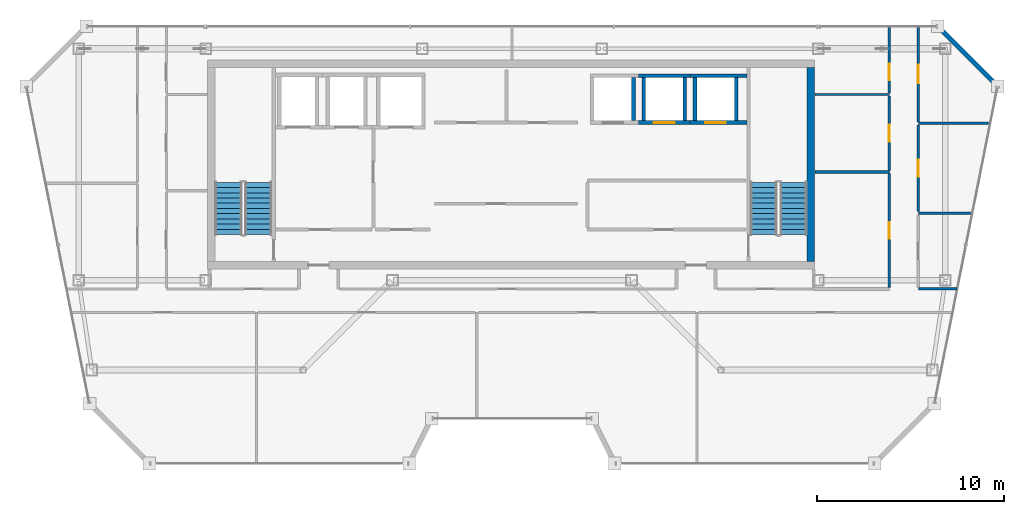
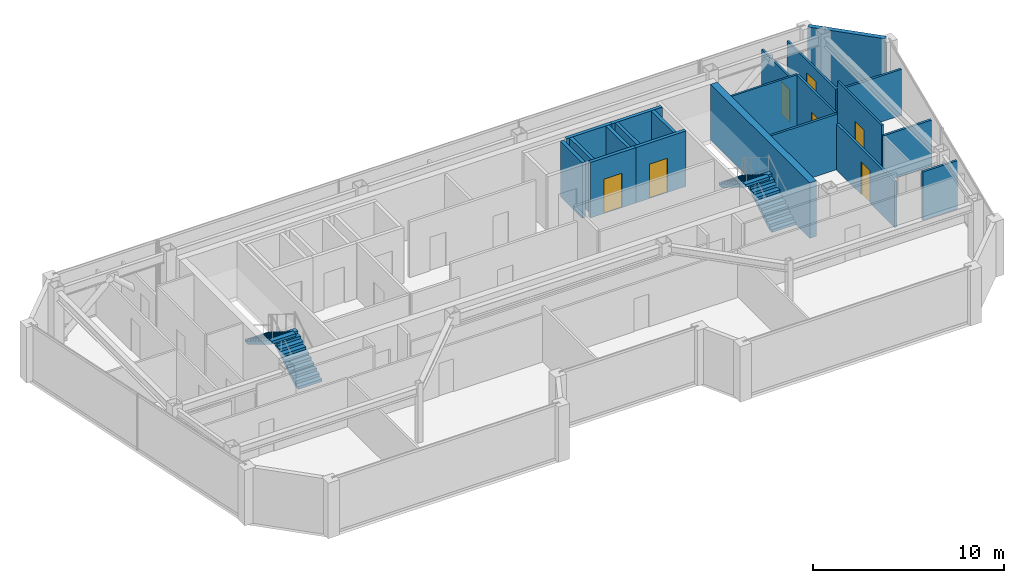
# One storey, part 20 of 23: 21 walls, 7 doors, 4 stair flights, 7 openings, 2 elements without a shape of their own.
"""IFC4 building model written with IfcOpenShell, lengths in metres."""

from ifc_helpers import new_model, si_unit, direction, frame, frame_2d, origin, place, context, subcontext, project, spatial, polyline, rectangle, outline, extrude, material, layer, layer_set, type_object, element, fill, aggregate, save


model = new_model("IFC4")

# Units and contexts
model_context = context("Model", 3, precision=1e-05, world=origin(), true_north=direction((0.0, 1.0)))
body_context = subcontext(model_context, "Body", "Model", "MODEL_VIEW")
ifc_project = project(units=[si_unit("LENGTHUNIT", "METRE"), si_unit("AREAUNIT", "SQUARE_METRE"), si_unit("VOLUMEUNIT", "CUBIC_METRE"), si_unit("PLANEANGLEUNIT", "RADIAN"), si_unit("MASSUNIT", "GRAM", prefix="KILO")], contexts=[model_context])

# Site, building, storey
site_placement = place(None, origin())
site = spatial("IfcSite", under=ifc_project, at=site_placement, CompositionType="ELEMENT")
building_placement = place(site_placement, origin())
building = spatial("IfcBuilding", under=site, at=building_placement, Name="Saevonmaru Cultural Tower", CompositionType="ELEMENT")
storey_placement = place(building_placement, frame((0.0, 0.0, 302.800048828125)))
storey = spatial("IfcBuildingStorey", under=building, at=storey_placement, Name="L72", CompositionType="ELEMENT", Elevation=302.800048828125)

# Walls
ifc_material_1 = material(Name="Concrete C50/60", Category="concrete")
ifc_layer_1 = layer(ifc_material_1, 0.39990234375, Name="Concrete C50/60")
ifc_layer_set_1 = layer_set([ifc_layer_1], Name="Concrete C50/60")
wall_type_1 = type_object("IfcWallType", Name="WL-CORE-400", PredefinedType="SHEAR", material=ifc_layer_set_1)
wall_1_placement = place(storey_placement, frame((46.0, 43.39990234375, 0.0), z_axis=(0.0, 0.0, 1.0), x_axis=(0.0, 1.0, 0.0)))
element("IfcWall", 1, at=wall_1_placement, inside=storey, type_object=wall_type_1, Name="L72 Tower RC core shear wall E", PredefinedType="SHEAR", context=body_context, shape_type="SweptSolid", body=[
    extrude(rectangle(XDim=10.400146484375, YDim=0.39990234375, at=frame_2d((5.2001953125, 0.0))), origin(), (0.0, 0.0, 1.0), 3.550048828125),
])
ifc_material_2 = material(Name="Granite-Clad Precast Concrete C40/50", Category="masonry")
ifc_layer_2 = layer(ifc_material_2, 0.260009765625, Name="Granite-Clad Precast Concrete C40/50")
ifc_layer_set_2 = layer_set([ifc_layer_2], Name="Granite-Clad Precast Concrete C40/50")
wall_type_2 = type_object("IfcWallType", Name="WL-EXT-SPANDREL-260", PredefinedType="STANDARD", material=ifc_layer_set_2)
wall_2_placement = place(storey_placement, frame((55.886962890625, 52.9130859375, 0.0), z_axis=(0.0, 0.0, 1.0), x_axis=(-0.707106781187, 0.707106781187, 0.0)))
element("IfcWall", 2, at=wall_2_placement, inside=storey, type_object=wall_type_2, Name="L72 Chamfer Corner Spandrel Wall E9", PredefinedType="STANDARD", context=body_context, shape_type="SweptSolid", body=[
    extrude(rectangle(XDim=4.205810546875, YDim=0.260009765625, at=frame_2d((2.10302734375, 0.0))), origin(), (0.0, 0.0, 1.0), 3.550048828125),
])
ifc_material_3 = material(Name="Gypsum Fireboard Partition", Category="gypsum")
ifc_layer_3 = layer(ifc_material_3, 0.1201171875, Name="Gypsum Fireboard Partition")
ifc_layer_set_3 = layer_set([ifc_layer_3], Name="Gypsum Fireboard Partition")
wall_type_3 = type_object("IfcWallType", Name="WL-PART-GYP-120", PredefinedType="PARTITIONING", material=ifc_layer_set_3)
wall_3_placement = place(storey_placement, frame((46.219970703125, 52.35009765625, 0.0), z_axis=(0.0, 0.0, 1.0), x_axis=(1.0, 0.0, 0.0)))
element("IfcWall", 3, at=wall_3_placement, inside=storey, type_object=wall_type_3, Name="L72 North-East Panorama South Wall", PredefinedType="PARTITIONING", context=body_context, shape_type="SweptSolid", body=[
    extrude(rectangle(XDim=3.97998046875, YDim=0.1201171875, at=frame_2d((1.989990234375, 0.0))), origin(), (0.0, 0.0, 1.0), 3.550048828125),
])

# Wall, opening, door
wall_4_placement = place(storey_placement, frame((50.199951171875, 48.2900390625, 0.0), z_axis=(0.0, 0.0, 1.0), x_axis=(0.0, 1.0, 0.0)))
wall_4 = element("IfcWall", 4, at=wall_4_placement, inside=storey, type_object=wall_type_3, Name="L72 Translation Research Office Corridor Wall", PredefinedType="PARTITIONING", context=body_context, shape_type="SweptSolid", body=[
    extrude(rectangle(XDim=3.97998046875, YDim=0.1201171875, at=frame_2d((1.989990234375, 0.0))), origin(), (0.0, 0.0, 1.0), 3.550048828125),
])
opening_1_placement = place(wall_4_placement, frame((1.5400390625, 0.0, 0.0)))
opening_1 = element("IfcOpeningElement", 5, at=opening_1_placement, cuts=wall_4, Name="Opening ID-2", PredefinedType="OPENING", context=body_context, shape_type="SweptSolid", body=[
    extrude(rectangle(XDim=0.89990234375, YDim=2.10009765625, at=frame_2d((0.449951171875, 1.050048828125))), frame((0.0, 0.070068359375, 0.0), z_axis=(0.0, -1.0, 0.0), x_axis=(1.0, 0.0, 0.0)), (0.0, 0.0, 1.0), 0.14013671875),
])
ifc_material_4 = material(Name="Acoustic Stained Oak Timber", Category="wood")
door_type_1 = type_object("IfcDoorType", Name="DR-INT-900", OperationType="SINGLE_SWING_RIGHT", PredefinedType="DOOR", material=ifc_material_4)
door_1_placement = place(opening_1_placement, origin())
door_1 = element("IfcDoor", 6, at=door_1_placement, inside=storey, type_object=door_type_1, Name="L72 Translation Research Office Door", OperationType="SINGLE_SWING_LEFT", OverallHeight=2.10009765625, OverallWidth=0.89990234375, PredefinedType="DOOR", context=body_context, shape_type="SweptSolid", body=[
    extrude(rectangle(XDim=0.89990234375, YDim=2.10009765625, at=frame_2d((0.449951171875, 1.050048828125))), frame((0.0, 0.02490234375, 0.0), z_axis=(0.0, -1.0, 0.0), x_axis=(1.0, 0.0, 0.0)), (0.0, 0.0, 1.0), 0.050048828125),
])
fill(opening_1, door_1)

wall_5_placement = place(storey_placement, frame((50.199951171875, 52.429931640625, 0.0), z_axis=(0.0, 0.0, 1.0), x_axis=(0.0, 1.0, 0.0)))
wall_5 = element("IfcWall", 7, at=wall_5_placement, inside=storey, type_object=wall_type_3, Name="L72 Architecture Residency Office Corridor Wall", PredefinedType="PARTITIONING", context=body_context, shape_type="SweptSolid", body=[
    extrude(rectangle(XDim=3.565185546875, YDim=0.1201171875, at=frame_2d((1.78271484375, 0.0))), origin(), (0.0, 0.0, 1.0), 2.93505859375),
])
opening_2_placement = place(wall_5_placement, frame((0.672119140625, 0.0, 0.0)))
opening_2 = element("IfcOpeningElement", 8, at=opening_2_placement, cuts=wall_5, Name="Opening ID-2", PredefinedType="OPENING", context=body_context, shape_type="SweptSolid", body=[
    extrude(rectangle(XDim=0.89990234375, YDim=2.10009765625, at=frame_2d((0.449951171875, 1.050048828125))), frame((0.0, 0.070068359375, 0.0), z_axis=(0.0, -1.0, 0.0), x_axis=(1.0, 0.0, 0.0)), (0.0, 0.0, 1.0), 0.14013671875),
])
door_2_placement = place(opening_2_placement, origin())
door_2 = element("IfcDoor", 9, at=door_2_placement, inside=storey, type_object=door_type_1, Name="L72 Architecture Residency Office Door", OperationType="SINGLE_SWING_RIGHT", OverallHeight=2.10009765625, OverallWidth=0.89990234375, PredefinedType="DOOR", context=body_context, shape_type="SweptSolid", body=[
    extrude(rectangle(XDim=0.89990234375, YDim=2.10009765625, at=frame_2d((0.449951171875, 1.050048828125))), frame((0.0, 0.02490234375, 0.0), z_axis=(0.0, -1.0, 0.0), x_axis=(1.0, 0.0, 0.0)), (0.0, 0.0, 1.0), 0.050048828125),
])
fill(opening_2, door_2)

wall_6_placement = place(storey_placement, frame((51.75, 46.08740234375, 0.0), z_axis=(0.0, 0.0, 1.0), x_axis=(0.0, 1.0, 0.0)))
wall_6 = element("IfcWall", 10, at=wall_6_placement, inside=storey, type_object=wall_type_3, Name="L72 Printmaking Workshop Classroom Corridor Wall", PredefinedType="PARTITIONING", context=body_context, shape_type="SweptSolid", body=[
    extrude(rectangle(XDim=4.625, YDim=0.1201171875, at=frame_2d((2.3125, 0.0))), origin(), (0.0, 0.0, 1.0), 3.550048828125),
])
opening_3_placement = place(wall_6_placement, frame((1.863037109375, 0.0, 0.0)))
opening_3 = element("IfcOpeningElement", 11, at=opening_3_placement, cuts=wall_6, Name="Opening ID-2", PredefinedType="OPENING", context=body_context, shape_type="SweptSolid", body=[
    extrude(rectangle(XDim=0.89990234375, YDim=2.10009765625, at=frame_2d((0.449951171875, 1.050048828125))), frame((0.0, 0.070068359375, 0.0), z_axis=(0.0, -1.0, 0.0), x_axis=(1.0, 0.0, 0.0)), (0.0, 0.0, 1.0), 0.14013671875),
])
door_3_placement = place(opening_3_placement, origin())
door_3 = element("IfcDoor", 12, at=door_3_placement, inside=storey, type_object=door_type_1, Name="L72 Printmaking Workshop Classroom Door", OperationType="SINGLE_SWING_LEFT", OverallHeight=2.10009765625, OverallWidth=0.89990234375, PredefinedType="DOOR", context=body_context, shape_type="SweptSolid", body=[
    extrude(rectangle(XDim=0.89990234375, YDim=2.10009765625, at=frame_2d((0.449951171875, 1.050048828125))), frame((0.0, 0.02490234375, 0.0), z_axis=(0.0, -1.0, 0.0), x_axis=(1.0, 0.0, 0.0)), (0.0, 0.0, 1.0), 0.050048828125),
])
fill(opening_3, door_3)

wall_7_placement = place(storey_placement, frame((51.75, 50.887451171875, 0.0), z_axis=(0.0, 0.0, 1.0), x_axis=(0.0, 1.0, 0.0)))
wall_7 = element("IfcWall", 13, at=wall_7_placement, inside=storey, type_object=wall_type_3, Name="L72 Botanical Tea Bistro Corridor Wall", PredefinedType="PARTITIONING", context=body_context, shape_type="SweptSolid", body=[
    extrude(rectangle(XDim=5.107666015625, YDim=0.1201171875, at=frame_2d((2.5537109375, 0.0))), origin(), (0.0, 0.0, 1.0), 2.93505859375),
])
opening_4_placement = place(wall_7_placement, frame((2.053955078125, 0.0, 0.0)))
opening_4 = element("IfcOpeningElement", 14, at=opening_4_placement, cuts=wall_7, Name="Opening ID-1B", PredefinedType="OPENING", context=body_context, shape_type="SweptSolid", body=[
    extrude(rectangle(XDim=1.0, YDim=2.14990234375, at=frame_2d((0.5, 1.074951171875))), frame((0.0, 0.070068359375, 0.0), z_axis=(0.0, -1.0, 0.0), x_axis=(1.0, 0.0, 0.0)), (0.0, 0.0, 1.0), 0.14013671875),
])
door_type_2 = type_object("IfcDoorType", Name="DR-INT-1000", OperationType="SINGLE_SWING_RIGHT", PredefinedType="DOOR", material=ifc_material_4)
door_4_placement = place(opening_4_placement, origin())
door_4 = element("IfcDoor", 15, at=door_4_placement, inside=storey, type_object=door_type_2, Name="L72 Botanical Tea Bistro Door", OperationType="SINGLE_SWING_RIGHT", OverallHeight=2.14990234375, OverallWidth=1.0, PredefinedType="DOOR", context=body_context, shape_type="SweptSolid", body=[
    extrude(rectangle(XDim=1.0, YDim=2.14990234375, at=frame_2d((0.5, 1.074951171875))), frame((0.0, 0.02490234375, 0.0), z_axis=(0.0, -1.0, 0.0), x_axis=(1.0, 0.0, 0.0)), (0.0, 0.0, 1.0), 0.050048828125),
])
fill(opening_4, door_4)

# Walls
ifc_layer_4 = layer(ifc_material_3, 0.135009765625, Name="Gypsum Fireboard Partition")
ifc_layer_set_4 = layer_set([ifc_layer_4], Name="Gypsum Fireboard Partition")
wall_type_4 = type_object("IfcWallType", Name="WL-PART-GYP-135", PredefinedType="PARTITIONING", material=ifc_layer_set_4)
wall_8_placement = place(storey_placement, frame((51.75, 41.93994140625, 0.0), z_axis=(0.0, 0.0, 1.0), x_axis=(1.0, 0.0, 0.0)))
element("IfcWall", 16, at=wall_8_placement, inside=storey, type_object=wall_type_4, Name="L72 NE Wing South Wall", PredefinedType="PARTITIONING", context=body_context, shape_type="SweptSolid", body=[
    extrude(rectangle(XDim=2.085693359375, YDim=0.135009765625, at=frame_2d((1.04296875, 0.0))), origin(), (0.0, 0.0, 1.0), 3.0849609375),
])
wall_9_placement = place(storey_placement, frame((51.75, 46.0, 0.0), z_axis=(0.0, 0.0, 1.0), x_axis=(1.0, 0.0, 0.0)))
element("IfcWall", 17, at=wall_9_placement, inside=storey, type_object=wall_type_4, Name="L72 NE Studio Divider 1", PredefinedType="PARTITIONING", context=body_context, shape_type="SweptSolid", body=[
    extrude(rectangle(XDim=2.892822265625, YDim=0.135009765625, at=frame_2d((1.4462890625, 0.0))), origin(), (0.0, 0.0, 1.0), 2.947021484375),
])
wall_10_placement = place(storey_placement, frame((51.75, 50.800048828125, 0.0), z_axis=(0.0, 0.0, 1.0), x_axis=(1.0, 0.0, 0.0)))
element("IfcWall", 18, at=wall_10_placement, inside=storey, type_object=wall_type_4, Name="L72 NE Studio Divider 2", PredefinedType="PARTITIONING", context=body_context, shape_type="SweptSolid", body=[
    extrude(rectangle(XDim=3.847412109375, YDim=0.135009765625, at=frame_2d((1.923828125, 0.0))), origin(), (0.0, 0.0, 1.0), 2.947021484375),
])
ifc_layer_5 = layer(ifc_material_3, 0.139892578125, Name="Gypsum Fireboard Partition")
ifc_layer_set_5 = layer_set([ifc_layer_5], Name="Gypsum Fireboard Partition")
wall_type_5 = type_object("IfcWallType", Name="WL-PART-WET-140", PredefinedType="PARTITIONING", material=ifc_layer_set_5)
wall_11_placement = place(storey_placement, frame((46.219970703125, 48.199951171875, 0.0), z_axis=(0.0, 0.0, 1.0), x_axis=(1.0, 0.0, 0.0)))
element("IfcWall", 19, at=wall_11_placement, inside=storey, type_object=wall_type_5, Name="L72 Washroom North Wall", PredefinedType="PARTITIONING", context=body_context, shape_type="SweptSolid", body=[
    extrude(rectangle(XDim=3.97998046875, YDim=0.139892578125, at=frame_2d((1.989990234375, 0.0))), origin(), (0.0, 0.0, 1.0), 3.550048828125),
])

# Wall, opening, door
wall_12_placement = place(storey_placement, frame((50.199951171875, 42.030029296875, 0.0), z_axis=(0.0, 0.0, 1.0), x_axis=(0.0, 1.0, 0.0)))
wall_12 = element("IfcWall", 20, at=wall_12_placement, inside=storey, type_object=wall_type_5, Name="L72 Washroom Corridor Wall", PredefinedType="PARTITIONING", context=body_context, shape_type="SweptSolid", body=[
    extrude(rectangle(XDim=6.080078125, YDim=0.139892578125, at=frame_2d((3.0400390625, 0.0))), origin(), (0.0, 0.0, 1.0), 2.947021484375),
])
opening_5_placement = place(wall_12_placement, frame((2.590087890625, 0.0, 0.0)))
opening_5 = element("IfcOpeningElement", 21, at=opening_5_placement, cuts=wall_12, Name="Opening ID-2", PredefinedType="OPENING", context=body_context, shape_type="SweptSolid", body=[
    extrude(rectangle(XDim=0.89990234375, YDim=2.10009765625, at=frame_2d((0.449951171875, 1.050048828125))), frame((0.0, 0.080078125, 0.0), z_axis=(0.0, -1.0, 0.0), x_axis=(1.0, 0.0, 0.0)), (0.0, 0.0, 1.0), 0.159912109375),
])
door_5_placement = place(opening_5_placement, origin())
door_5 = element("IfcDoor", 22, at=door_5_placement, inside=storey, type_object=door_type_1, Name="L72 Public Accessible Washrooms Door", OperationType="SINGLE_SWING_RIGHT", OverallHeight=2.10009765625, OverallWidth=0.89990234375, PredefinedType="DOOR", context=body_context, shape_type="SweptSolid", body=[
    extrude(rectangle(XDim=0.89990234375, YDim=2.10009765625, at=frame_2d((0.449951171875, 1.050048828125))), frame((0.0, 0.02490234375, 0.0), z_axis=(0.0, -1.0, 0.0), x_axis=(1.0, 0.0, 0.0)), (0.0, 0.0, 1.0), 0.050048828125),
])
fill(opening_5, door_5)

# Wall
ifc_material_5 = material(Name="Concrete C40/50", Category="concrete")
ifc_layer_6 = layer(ifc_material_5, 0.199951171875, Name="Concrete C40/50")
ifc_layer_set_6 = layer_set([ifc_layer_6], Name="Concrete C40/50")
wall_type_6 = type_object("IfcWallType", Name="WL-SHAFT-200", PredefinedType="SHEAR", material=ifc_layer_set_6)
wall_13_placement = place(storey_placement, frame((36.5, 50.949951171875, 0.0), z_axis=(0.0, 0.0, 1.0), x_axis=(0.0, 1.0, 0.0)))
element("IfcWall", 23, at=wall_13_placement, inside=storey, type_object=wall_type_6, Name="L72 Lift PL-H1 Hoistway Wall E", PredefinedType="SHEAR", context=body_context, shape_type="SweptSolid", body=[
    extrude(rectangle(XDim=2.300048828125, YDim=0.199951171875, at=frame_2d((1.14990234375, 0.0))), origin(), (0.0, 0.0, 1.0), 3.550048828125),
])

# Wall, opening, door
wall_14_placement = place(storey_placement, frame((36.77490234375, 50.85009765625, 0.0), z_axis=(0.0, 0.0, 1.0), x_axis=(1.0, 0.0, 0.0)))
wall_14 = element("IfcWall", 24, at=wall_14_placement, inside=storey, type_object=wall_type_6, Name="L72 Lift PL-H2 Hoistway Wall S", PredefinedType="SHEAR", context=body_context, shape_type="SweptSolid", body=[
    extrude(rectangle(XDim=2.75, YDim=0.199951171875, at=frame_2d((1.375, 0.0))), origin(), (0.0, 0.0, 1.0), 3.550048828125),
])
opening_6_placement = place(wall_14_placement, frame((0.824951171875, 0.0, 0.0)))
opening_6 = element("IfcOpeningElement", 25, at=opening_6_placement, cuts=wall_14, Name="Opening LD-1", PredefinedType="OPENING", context=body_context, shape_type="SweptSolid", body=[
    extrude(rectangle(XDim=1.10009765625, YDim=2.199951171875, at=frame_2d((0.550048828125, 1.10009765625))), frame((0.0, 0.10986328125, 0.0), z_axis=(0.0, -1.0, 0.0), x_axis=(1.0, 0.0, 0.0)), (0.0, 0.0, 1.0), 0.219970703125),
])
ifc_material_6 = material(Name="Satin Bronze Stainless Steel", Category="steel")
door_type_3 = type_object("IfcDoorType", Name="DR-LIFT-1100", OperationType="SLIDING_TO_LEFT", PredefinedType="DOOR", material=ifc_material_6)
door_6_placement = place(opening_6_placement, origin())
door_6 = element("IfcDoor", 26, at=door_6_placement, inside=storey, type_object=door_type_3, Name="L72 Lift PL-H2 Sliding Landing Door", OperationType="SLIDING_TO_LEFT", OverallHeight=2.199951171875, OverallWidth=1.10009765625, PredefinedType="DOOR", context=body_context, shape_type="SweptSolid", body=[
    extrude(rectangle(XDim=1.10009765625, YDim=2.199951171875, at=frame_2d((0.550048828125, 1.10009765625))), frame((0.0, 0.02490234375, 0.0), z_axis=(0.0, -1.0, 0.0), x_axis=(1.0, 0.0, 0.0)), (0.0, 0.0, 1.0), 0.050048828125),
])
fill(opening_6, door_6)

# Walls
wall_15_placement = place(storey_placement, frame((36.77490234375, 53.35009765625, 0.0), z_axis=(0.0, 0.0, 1.0), x_axis=(1.0, 0.0, 0.0)))
element("IfcWall", 27, at=wall_15_placement, inside=storey, type_object=wall_type_6, Name="L72 Lift PL-H2 Hoistway Wall N", PredefinedType="SHEAR", context=body_context, shape_type="SweptSolid", body=[
    extrude(rectangle(XDim=2.75, YDim=0.199951171875, at=frame_2d((1.375, 0.0))), origin(), (0.0, 0.0, 1.0), 3.550048828125),
])
for number, where, z_axis, x_axis, name in (
    (28, (37.050048828125, 50.949951171875, 0.0), (0.0, 0.0, 1.0), (0.0, 1.0, 0.0), "L72 Lift PL-H2 Hoistway Wall W"),
    (29, (39.25, 50.949951171875, 0.0), (0.0, 0.0, 1.0), (0.0, 1.0, 0.0), "L72 Lift PL-H2 Hoistway Wall E"),
):
    element("IfcWall", number, at=place(storey_placement, frame(where, z_axis=z_axis, x_axis=x_axis)), inside=storey, type_object=wall_type_6, Name=name, PredefinedType="SHEAR", context=body_context, shape_type="SweptSolid", body=[
        extrude(rectangle(XDim=2.300048828125, YDim=0.199951171875, at=frame_2d((1.14990234375, 0.0))), origin(), (0.0, 0.0, 1.0), 3.550048828125),
    ])

# Wall, opening, door
wall_16_placement = place(storey_placement, frame((39.52490234375, 50.85009765625, 0.0), z_axis=(0.0, 0.0, 1.0), x_axis=(1.0, 0.0, 0.0)))
wall_16 = element("IfcWall", 30, at=wall_16_placement, inside=storey, type_object=wall_type_6, Name="L72 Lift PL-H3 Hoistway Wall S", PredefinedType="SHEAR", context=body_context, shape_type="SweptSolid", body=[
    extrude(rectangle(XDim=3.045166015625, YDim=0.199951171875, at=frame_2d((1.5224609375, 0.0))), origin(), (0.0, 0.0, 1.0), 3.550048828125),
])
opening_7_placement = place(wall_16_placement, frame((0.824951171875, 0.0, 0.0)))
opening_7 = element("IfcOpeningElement", 31, at=opening_7_placement, cuts=wall_16, Name="Opening LD-1", PredefinedType="OPENING", context=body_context, shape_type="SweptSolid", body=[
    extrude(rectangle(XDim=1.10009765625, YDim=2.199951171875, at=frame_2d((0.550048828125, 1.10009765625))), frame((0.0, 0.10986328125, 0.0), z_axis=(0.0, -1.0, 0.0), x_axis=(1.0, 0.0, 0.0)), (0.0, 0.0, 1.0), 0.219970703125),
])
door_7_placement = place(opening_7_placement, origin())
door_7 = element("IfcDoor", 32, at=door_7_placement, inside=storey, type_object=door_type_3, Name="L72 Lift PL-H3 Sliding Landing Door", OperationType="SLIDING_TO_LEFT", OverallHeight=2.199951171875, OverallWidth=1.10009765625, PredefinedType="DOOR", context=body_context, shape_type="SweptSolid", body=[
    extrude(rectangle(XDim=1.10009765625, YDim=2.199951171875, at=frame_2d((0.550048828125, 1.10009765625))), frame((0.0, 0.02490234375, 0.0), z_axis=(0.0, -1.0, 0.0), x_axis=(1.0, 0.0, 0.0)), (0.0, 0.0, 1.0), 0.050048828125),
])
fill(opening_7, door_7)

# Walls
wall_17_placement = place(storey_placement, frame((39.52490234375, 53.35009765625, 0.0), z_axis=(0.0, 0.0, 1.0), x_axis=(1.0, 0.0, 0.0)))
element("IfcWall", 33, at=wall_17_placement, inside=storey, type_object=wall_type_6, Name="L72 Lift PL-H3 Hoistway Wall N", PredefinedType="SHEAR", context=body_context, shape_type="SweptSolid", body=[
    extrude(rectangle(XDim=3.045166015625, YDim=0.199951171875, at=frame_2d((1.5224609375, 0.0))), origin(), (0.0, 0.0, 1.0), 3.550048828125),
])
for number, where, z_axis, x_axis, name in (
    (34, (39.800048828125, 50.949951171875, 0.0), (0.0, 0.0, 1.0), (0.0, 1.0, 0.0), "L72 Lift PL-H3 Hoistway Wall W"),
    (35, (42.0, 50.949951171875, 0.0), (0.0, 0.0, 1.0), (0.0, 1.0, 0.0), "L72 Lift PL-H3 Hoistway Wall E"),
):
    element("IfcWall", number, at=place(storey_placement, frame(where, z_axis=z_axis, x_axis=x_axis)), inside=storey, type_object=wall_type_6, Name=name, PredefinedType="SHEAR", context=body_context, shape_type="SweptSolid", body=[
        extrude(rectangle(XDim=2.300048828125, YDim=0.199951171875, at=frame_2d((1.14990234375, 0.0))), origin(), (0.0, 0.0, 1.0), 3.550048828125),
    ])

# Stair, stair flights
stair_type = type_object("IfcStairType", Name="STR-DOGLEG-RC", PredefinedType="HALF_TURN_STAIR", material=ifc_material_5)
stair_1_placement = place(storey_placement, origin())
stair_1 = element("IfcStair", 36, at=stair_1_placement, inside=storey, type_object=stair_type, Name="L72 Protected exit stair ST-1", PredefinedType="HALF_TURN_STAIR")
ifc_material_7 = material(Name="Precast concrete C40/50", Category="concrete")
stair_flight_type = type_object("IfcStairFlightType", Name="STF-PRECAST-180", PredefinedType="STRAIGHT", material=ifc_material_7)
stair_flight_1_placement = place(storey_placement, frame((16.425048828125, 44.85009765625, 0.0), z_axis=(0.0, 0.0, 1.0), x_axis=(0.0, 1.0, 0.0)))
stair_flight_1 = element("IfcStairFlight", 37, at=stair_flight_1_placement, type_object=stair_flight_type, Name="ST-1-L72 flight 1", NumberOfRisers=11, NumberOfTreads=10, PredefinedType="STRAIGHT", RiserHeight=0.172727273, TreadLength=0.28, context=body_context, shape_type="SweptSolid", body=[
    extrude(outline(polyline([(0.0, 0.0), (0.0, 0.172607421875), (0.280029296875, 0.172607421875), (0.280029296875, 0.345458984375), (0.56005859375, 0.345458984375), (0.56005859375, 0.51806640625), (0.840087890625, 0.51806640625), (0.840087890625, 0.69091796875), (1.1201171875, 0.69091796875), (1.1201171875, 0.863525390625), (1.39990234375, 0.863525390625), (1.39990234375, 1.036376953125), (1.679931640625, 1.036376953125), (1.679931640625, 1.208984375), (1.9599609375, 1.208984375), (1.9599609375, 1.3818359375), (2.239990234375, 1.3818359375), (2.239990234375, 1.554443359375), (2.52001953125, 1.554443359375), (2.52001953125, 1.727294921875), (2.800048828125, 1.727294921875), (2.800048828125, 1.89990234375), (2.800048828125, 1.551025390625), (0.285400390625, 0.0), (0.0, 0.0)])), frame((0.0, 0.72509765625, 0.0), z_axis=(0.0, -1.0, 0.0), x_axis=(1.0, 0.0, 0.0)), (0.0, 0.0, 1.0), 1.449951171875),
])
stair_flight_2_placement = place(storey_placement, frame((14.824951171875, 47.64990234375, 1.89990234375), z_axis=(0.0, 0.0, 1.0), x_axis=(0.0, -1.0, 0.0)))
stair_flight_2 = element("IfcStairFlight", 38, at=stair_flight_2_placement, type_object=stair_flight_type, Name="ST-1-L72 flight 2", NumberOfRisers=11, NumberOfTreads=10, PredefinedType="STRAIGHT", RiserHeight=0.172727273, TreadLength=0.28, context=body_context, shape_type="SweptSolid", body=[
    extrude(outline(polyline([(0.0, 0.0), (0.0, 0.172607421875), (0.280029296875, 0.172607421875), (0.280029296875, 0.345458984375), (0.56005859375, 0.345458984375), (0.56005859375, 0.51806640625), (0.840087890625, 0.51806640625), (0.840087890625, 0.69091796875), (1.1201171875, 0.69091796875), (1.1201171875, 0.863525390625), (1.39990234375, 0.863525390625), (1.39990234375, 1.036376953125), (1.679931640625, 1.036376953125), (1.679931640625, 1.208984375), (1.9599609375, 1.208984375), (1.9599609375, 1.3818359375), (2.239990234375, 1.3818359375), (2.239990234375, 1.554443359375), (2.52001953125, 1.554443359375), (2.52001953125, 1.727294921875), (2.800048828125, 1.727294921875), (2.800048828125, 1.89990234375), (2.800048828125, 1.551025390625), (0.285400390625, 0.0), (0.0, 0.0)])), frame((0.0, 0.72509765625, 0.0), z_axis=(0.0, -1.0, 0.0), x_axis=(1.0, 0.0, 0.0)), (0.0, 0.0, 1.0), 1.449951171875),
])
aggregate(stair_1, [stair_flight_1, stair_flight_2])

stair_2_placement = place(storey_placement, origin())
stair_2 = element("IfcStair", 39, at=stair_2_placement, inside=storey, type_object=stair_type, Name="L72 Protected exit stair ST-2", PredefinedType="HALF_TURN_STAIR")
stair_flight_3_placement = place(storey_placement, frame((45.074951171875, 44.85009765625, 0.0), z_axis=(0.0, 0.0, 1.0), x_axis=(0.0, 1.0, 0.0)))
stair_flight_3 = element("IfcStairFlight", 40, at=stair_flight_3_placement, type_object=stair_flight_type, Name="ST-2-L72 flight 1", NumberOfRisers=11, NumberOfTreads=10, PredefinedType="STRAIGHT", RiserHeight=0.172727273, TreadLength=0.28, context=body_context, shape_type="SweptSolid", body=[
    extrude(outline(polyline([(0.0, 0.0), (0.0, 0.172607421875), (0.280029296875, 0.172607421875), (0.280029296875, 0.345458984375), (0.56005859375, 0.345458984375), (0.56005859375, 0.51806640625), (0.840087890625, 0.51806640625), (0.840087890625, 0.69091796875), (1.1201171875, 0.69091796875), (1.1201171875, 0.863525390625), (1.39990234375, 0.863525390625), (1.39990234375, 1.036376953125), (1.679931640625, 1.036376953125), (1.679931640625, 1.208984375), (1.9599609375, 1.208984375), (1.9599609375, 1.3818359375), (2.239990234375, 1.3818359375), (2.239990234375, 1.554443359375), (2.52001953125, 1.554443359375), (2.52001953125, 1.727294921875), (2.800048828125, 1.727294921875), (2.800048828125, 1.89990234375), (2.800048828125, 1.551025390625), (0.285400390625, 0.0), (0.0, 0.0)])), frame((0.0, 0.72509765625, 0.0), z_axis=(0.0, -1.0, 0.0), x_axis=(1.0, 0.0, 0.0)), (0.0, 0.0, 1.0), 1.449951171875),
])
stair_flight_4_placement = place(storey_placement, frame((43.47509765625, 47.64990234375, 1.89990234375), z_axis=(0.0, 0.0, 1.0), x_axis=(0.0, -1.0, 0.0)))
stair_flight_4 = element("IfcStairFlight", 41, at=stair_flight_4_placement, type_object=stair_flight_type, Name="ST-2-L72 flight 2", NumberOfRisers=11, NumberOfTreads=10, PredefinedType="STRAIGHT", RiserHeight=0.172727273, TreadLength=0.28, context=body_context, shape_type="SweptSolid", body=[
    extrude(outline(polyline([(0.0, 0.0), (0.0, 0.172607421875), (0.280029296875, 0.172607421875), (0.280029296875, 0.345458984375), (0.56005859375, 0.345458984375), (0.56005859375, 0.51806640625), (0.840087890625, 0.51806640625), (0.840087890625, 0.69091796875), (1.1201171875, 0.69091796875), (1.1201171875, 0.863525390625), (1.39990234375, 0.863525390625), (1.39990234375, 1.036376953125), (1.679931640625, 1.036376953125), (1.679931640625, 1.208984375), (1.9599609375, 1.208984375), (1.9599609375, 1.3818359375), (2.239990234375, 1.3818359375), (2.239990234375, 1.554443359375), (2.52001953125, 1.554443359375), (2.52001953125, 1.727294921875), (2.800048828125, 1.727294921875), (2.800048828125, 1.89990234375), (2.800048828125, 1.551025390625), (0.285400390625, 0.0), (0.0, 0.0)])), frame((0.0, 0.72509765625, 0.0), z_axis=(0.0, -1.0, 0.0), x_axis=(1.0, 0.0, 0.0)), (0.0, 0.0, 1.0), 1.449951171875),
])
aggregate(stair_2, [stair_flight_3, stair_flight_4])

save(model, "model.ifc")
